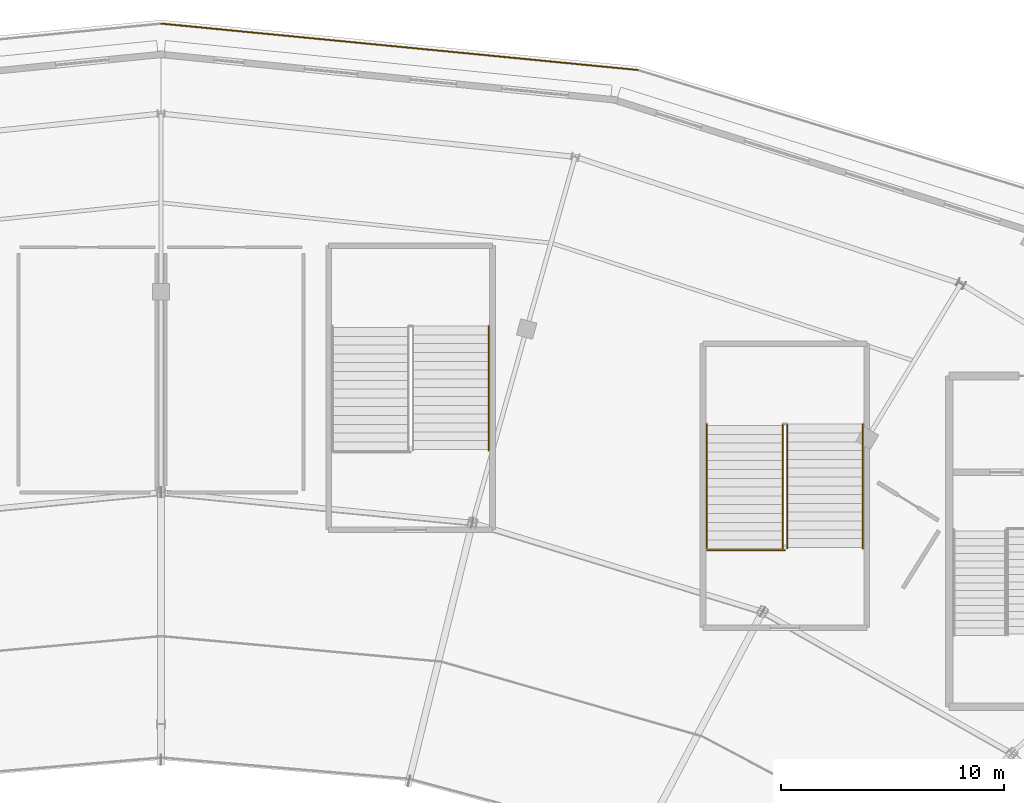
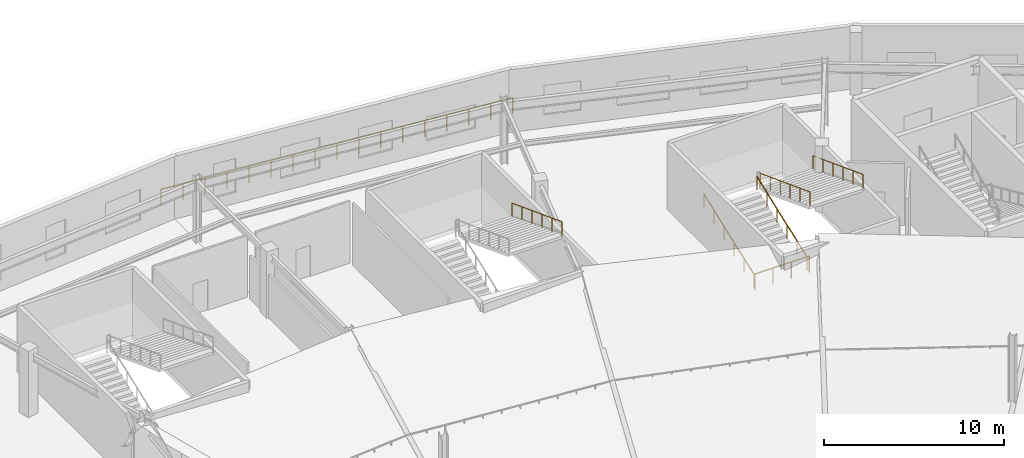
# One storey, part 58 of 63: 7 railings.
"""IFC4 building model written with IfcOpenShell, lengths in metres."""

from ifc_helpers import new_model, si_unit, direction, frame, origin, origin_2d, place, context, subcontext, project, spatial, circle, extrude, material, type_object, element, save


model = new_model("IFC4")

# Units and contexts
model_context = context("Model", 3, precision=1e-05, world=origin(), true_north=direction((0.0, 1.0)))
body_context = subcontext(model_context, "Body", "Model", "MODEL_VIEW")
ifc_project = project(units=[si_unit("LENGTHUNIT", "METRE"), si_unit("AREAUNIT", "SQUARE_METRE"), si_unit("VOLUMEUNIT", "CUBIC_METRE"), si_unit("PLANEANGLEUNIT", "RADIAN"), si_unit("MASSUNIT", "GRAM", prefix="KILO")], contexts=[model_context])

# Site, building, storey
site_placement = place(None, origin())
site = spatial("IfcSite", under=ifc_project, at=site_placement, CompositionType="ELEMENT")
building_placement = place(site_placement, origin())
building = spatial("IfcBuilding", under=site, at=building_placement, Name="Kalgoora Escarpment Arena", CompositionType="ELEMENT")
storey_placement = place(building_placement, frame((0.0, 0.0, 14.39990234375)))
storey = spatial("IfcBuildingStorey", under=building, at=storey_placement, Name="L03", CompositionType="ELEMENT", Elevation=14.39990234375)

# Railings
ifc_material_1 = material(Name="Galvanised & powdercoated tubular steel", Category="steel")
railing_type_1 = type_object("IfcRailingType", Name="RAL-GUARD-1120", PredefinedType="GUARDRAIL", material=ifc_material_1)
railing_1_placement = place(storey_placement, frame((116.909912109375, 101.409912109375, 0.0)))
element("IfcRailing", 1, at=railing_1_placement, inside=storey, type_object=railing_type_1, Name="ST12 L03 floor landing well guard", PredefinedType="GUARDRAIL", context=body_context, shape_type="SweptSolid", body=[
    extrude(circle(Radius=0.02392578125, at=origin_2d()), frame((0.0, 0.0, 1.09619140625), z_axis=(1.0, 0.0, 0.0), x_axis=(0.0, 1.0, 0.0)), (0.0, 0.0, 1.0), 3.489990234375),
    extrude(circle(Radius=0.02099609375, at=origin_2d()), origin(), (0.0, 0.0, 1.0), 1.072021484375),
    extrude(circle(Radius=0.02099609375, at=origin_2d()), frame((1.163330078125, 0.0, 0.0)), (0.0, 0.0, 1.0), 1.072021484375),
    extrude(circle(Radius=0.02099609375, at=origin_2d()), frame((2.32666015625, 0.0, 0.0)), (0.0, 0.0, 1.0), 1.072021484375),
    extrude(circle(Radius=0.02099609375, at=origin_2d()), frame((3.489990234375, 0.0, 0.0)), (0.0, 0.0, 1.0), 1.072021484375),
])
ifc_material_2 = material(Name="Brushed stainless steel 316 handrail", Category="steel")
railing_type_2 = type_object("IfcRailingType", Name="RAL-HAND-920", PredefinedType="HANDRAIL", material=ifc_material_2)
railing_2_placement = place(storey_placement, frame((107.10009765625, 111.449951171875, 2.360107421875)))
element("IfcRailing", 2, at=railing_2_placement, inside=storey, type_object=railing_type_2, Name="ST11 L03 pitched stair handrail F2R", PredefinedType="HANDRAIL", context=body_context, shape_type="SweptSolid", body=[
    extrude(circle(Radius=0.02392578125, at=origin_2d()), frame((0.0, 0.0, 0.89599609375), z_axis=(0.0, -0.935492612948, 0.353346248203), x_axis=(1.0, 0.0, 0.0)), (0.0, 0.0, 1.0), 5.943359375),
    extrude(circle(Radius=0.02099609375, at=origin_2d()), origin(), (0.0, 0.0, 1.0), 0.871826171875),
    extrude(circle(Radius=0.02099609375, at=origin_2d()), frame((0.0, -1.112060546875, 0.419921875)), (0.0, 0.0, 1.0), 0.871826171875),
    extrude(circle(Radius=0.02099609375, at=origin_2d()), frame((0.0, -2.22412109375, 0.840087890625)), (0.0, 0.0, 1.0), 0.871826171875),
    extrude(circle(Radius=0.02099609375, at=origin_2d()), frame((0.0, -3.3359375, 1.260009765625)), (0.0, 0.0, 1.0), 0.871826171875),
    extrude(circle(Radius=0.02099609375, at=origin_2d()), frame((0.0, -4.447998046875, 1.68017578125)), (0.0, 0.0, 1.0), 0.871826171875),
    extrude(circle(Radius=0.02099609375, at=origin_2d()), frame((0.0, -5.56005859375, 2.10009765625)), (0.0, 0.0, 1.0), 0.871826171875),
])
for number, where, name in (
    (3, (116.89990234375, 101.489990234375, 0.110107421875), "ST12 L03 pitched stair handrail F1L"),
    (4, (120.300048828125, 101.489990234375, 0.110107421875), "ST12 L03 pitched stair handrail F1R"),
):
    element("IfcRailing", number, at=place(storey_placement, frame(where)), inside=storey, type_object=railing_type_2, Name=name, PredefinedType="HANDRAIL", context=body_context, shape_type="SweptSolid", body=[
        extrude(circle(Radius=0.02392578125, at=origin_2d()), frame((0.0, 0.0, 0.89599609375), z_axis=(0.0, 0.935492612948, 0.353346248203), x_axis=(-1.0, 0.0, 0.0)), (0.0, 0.0, 1.0), 5.943359375),
        extrude(circle(Radius=0.02099609375, at=origin_2d()), origin(), (0.0, 0.0, 1.0), 0.871826171875),
        extrude(circle(Radius=0.02099609375, at=origin_2d()), frame((0.0, 1.112060546875, 0.419921875)), (0.0, 0.0, 1.0), 0.871826171875),
        extrude(circle(Radius=0.02099609375, at=origin_2d()), frame((0.0, 2.22412109375, 0.840087890625)), (0.0, 0.0, 1.0), 0.871826171875),
        extrude(circle(Radius=0.02099609375, at=origin_2d()), frame((0.0, 3.3359375, 1.260009765625)), (0.0, 0.0, 1.0), 0.871826171875),
        extrude(circle(Radius=0.02099609375, at=origin_2d()), frame((0.0, 4.447998046875, 1.68017578125)), (0.0, 0.0, 1.0), 0.871826171875),
        extrude(circle(Radius=0.02099609375, at=origin_2d()), frame((0.0, 5.56005859375, 2.10009765625)), (0.0, 0.0, 1.0), 0.871826171875),
    ])
for number, where, name in (
    (5, (120.5, 107.050048828125, 2.360107421875), "ST12 L03 pitched stair handrail F2L"),
    (6, (123.89990234375, 107.050048828125, 2.360107421875), "ST12 L03 pitched stair handrail F2R"),
):
    element("IfcRailing", number, at=place(storey_placement, frame(where)), inside=storey, type_object=railing_type_2, Name=name, PredefinedType="HANDRAIL", context=body_context, shape_type="SweptSolid", body=[
        extrude(circle(Radius=0.02392578125, at=origin_2d()), frame((0.0, 0.0, 0.89599609375), z_axis=(0.0, -0.935492612948, 0.353346248203), x_axis=(1.0, 0.0, 0.0)), (0.0, 0.0, 1.0), 5.943359375),
        extrude(circle(Radius=0.02099609375, at=origin_2d()), origin(), (0.0, 0.0, 1.0), 0.871826171875),
        extrude(circle(Radius=0.02099609375, at=origin_2d()), frame((0.0, -1.112060546875, 0.419921875)), (0.0, 0.0, 1.0), 0.871826171875),
        extrude(circle(Radius=0.02099609375, at=origin_2d()), frame((0.0, -2.22412109375, 0.840087890625)), (0.0, 0.0, 1.0), 0.871826171875),
        extrude(circle(Radius=0.02099609375, at=origin_2d()), frame((0.0, -3.3359375, 1.260009765625)), (0.0, 0.0, 1.0), 0.871826171875),
        extrude(circle(Radius=0.02099609375, at=origin_2d()), frame((0.0, -4.447998046875, 1.68017578125)), (0.0, 0.0, 1.0), 0.871826171875),
        extrude(circle(Radius=0.02099609375, at=origin_2d()), frame((0.0, -5.56005859375, 2.10009765625)), (0.0, 0.0, 1.0), 0.871826171875),
    ])
ifc_material_3 = material(Name="Champagne anodised aluminium & laminated glass", Category="aluminium")
railing_type_3 = type_object("IfcRailingType", Name="RAL-TERR-1100", PredefinedType="GUARDRAIL", material=ifc_material_3)
railing_3_placement = place(storey_placement, frame((92.39990234375, 125.039306640625, 0.0)))
element("IfcRailing", 7, at=railing_3_placement, inside=storey, type_object=railing_type_3, Name="Upper Planted Elliptical Garden Terrace perimeter guardrail 017", PredefinedType="GUARDRAIL", context=body_context, shape_type="SweptSolid", body=[
    extrude(circle(Radius=0.02392578125, at=origin_2d()), frame((0.0, 0.0, 1.09619140625), z_axis=(0.995298879649, -0.096851123738, 0.0), x_axis=(0.096851123738, 0.995298879649, 0.0)), (0.0, 0.0, 1.0), 21.499755859375),
    extrude(circle(Radius=0.02099609375, at=origin_2d()), origin(), (0.0, 0.0, 1.0), 1.072021484375),
    extrude(circle(Radius=0.02099609375, at=origin_2d()), frame((1.33740234375, -0.130126953125, 0.0)), (0.0, 0.0, 1.0), 1.072021484375),
    extrude(circle(Radius=0.02099609375, at=origin_2d()), frame((2.6748046875, -0.26025390625, 0.0)), (0.0, 0.0, 1.0), 1.072021484375),
    extrude(circle(Radius=0.02099609375, at=origin_2d()), frame((4.01220703125, -0.390380859375, 0.0)), (0.0, 0.0, 1.0), 1.072021484375),
    extrude(circle(Radius=0.02099609375, at=origin_2d()), frame((5.349609375, -0.5205078125, 0.0)), (0.0, 0.0, 1.0), 1.072021484375),
    extrude(circle(Radius=0.02099609375, at=origin_2d()), frame((6.68701171875, -0.650634765625, 0.0)), (0.0, 0.0, 1.0), 1.072021484375),
    extrude(circle(Radius=0.02099609375, at=origin_2d()), frame((8.0244140625, -0.78076171875, 0.0)), (0.0, 0.0, 1.0), 1.072021484375),
    extrude(circle(Radius=0.02099609375, at=origin_2d()), frame((9.36181640625, -0.910888671875, 0.0)), (0.0, 0.0, 1.0), 1.072021484375),
    extrude(circle(Radius=0.02099609375, at=origin_2d()), frame((10.69921875, -1.041015625, 0.0)), (0.0, 0.0, 1.0), 1.072021484375),
    extrude(circle(Radius=0.02099609375, at=origin_2d()), frame((12.036865234375, -1.17138671875, 0.0)), (0.0, 0.0, 1.0), 1.072021484375),
    extrude(circle(Radius=0.02099609375, at=origin_2d()), frame((13.374267578125, -1.301513671875, 0.0)), (0.0, 0.0, 1.0), 1.072021484375),
    extrude(circle(Radius=0.02099609375, at=origin_2d()), frame((14.711669921875, -1.431640625, 0.0)), (0.0, 0.0, 1.0), 1.072021484375),
    extrude(circle(Radius=0.02099609375, at=origin_2d()), frame((16.049072265625, -1.561767578125, 0.0)), (0.0, 0.0, 1.0), 1.072021484375),
    extrude(circle(Radius=0.02099609375, at=origin_2d()), frame((17.386474609375, -1.69189453125, 0.0)), (0.0, 0.0, 1.0), 1.072021484375),
    extrude(circle(Radius=0.02099609375, at=origin_2d()), frame((18.723876953125, -1.822021484375, 0.0)), (0.0, 0.0, 1.0), 1.072021484375),
    extrude(circle(Radius=0.02099609375, at=origin_2d()), frame((20.061279296875, -1.9521484375, 0.0)), (0.0, 0.0, 1.0), 1.072021484375),
    extrude(circle(Radius=0.02099609375, at=origin_2d()), frame((21.398681640625, -2.082275390625, 0.0)), (0.0, 0.0, 1.0), 1.072021484375),
])

save(model, "model.ifc")
